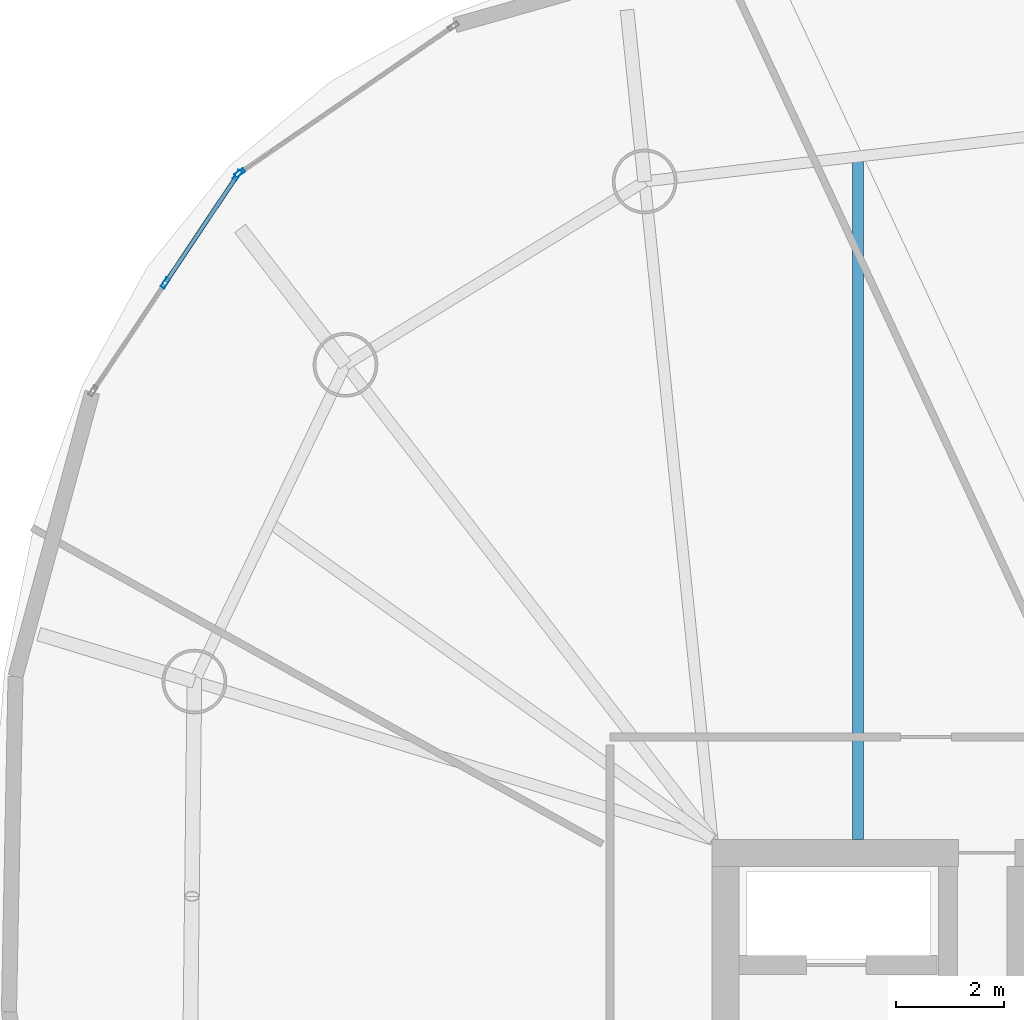
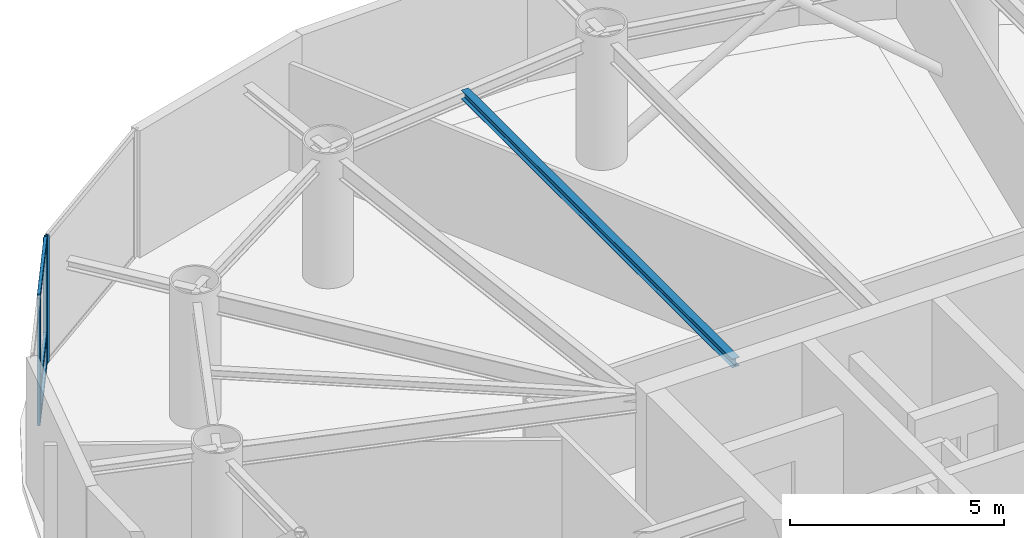
# One storey, part 7 of 16: 6 members, 1 beam, 2 elements without a shape of their own.
"""IFC4 building model written with IfcOpenShell, lengths in metres."""

from ifc_helpers import new_model, si_unit, direction, frame, origin, origin_2d, place, context, subcontext, project, spatial, hollow_rectangle, i_section, extrude, material, layer, layer_set, material_profile, profile_set, type_object, element, aggregate, save


model = new_model("IFC4")

# Units and contexts
model_context = context("Model", 3, precision=1e-05, world=origin(), true_north=direction((0.0, 1.0)))
body_context = subcontext(model_context, "Body", "Model", "MODEL_VIEW")
ifc_project = project(units=[si_unit("LENGTHUNIT", "METRE"), si_unit("AREAUNIT", "SQUARE_METRE"), si_unit("VOLUMEUNIT", "CUBIC_METRE"), si_unit("PLANEANGLEUNIT", "RADIAN"), si_unit("MASSUNIT", "GRAM", prefix="KILO")], contexts=[model_context])

# Site, building, storey
site_placement = place(None, origin())
site = spatial("IfcSite", under=ifc_project, at=site_placement, CompositionType="ELEMENT")
building_placement = place(site_placement, origin())
building = spatial("IfcBuilding", under=site, at=building_placement, Name="Bramvorn Convention Spire", CompositionType="ELEMENT")
storey_placement = place(building_placement, frame((0.0, 0.0, 209.699951171875)))
storey = spatial("IfcBuildingStorey", under=building, at=storey_placement, Name="L53", CompositionType="ELEMENT", Elevation=209.699951171875)

# Beam
ifc_material_1 = material(Name="Steel CSA G40.21 Grade 350 (350W)", Category="steel")
ifc_material_profile_1 = material_profile(ifc_material_1, i_section(OverallWidth=0.201904296875, OverallDepth=0.2470703125, WebThickness=0.00732421875, FlangeThickness=0.010986328125, FilletRadius=0.011962890625, at=origin_2d()))
ifc_profile_set_1 = profile_set([ifc_material_profile_1], Name="Steel CSA G40.21 Grade 350 (350W) - W250X49")
beam_type = type_object("IfcBeamType", Name="BM-W250X49", PredefinedType="JOIST", material=ifc_profile_set_1)
beam_placement = place(storey_placement, frame((29.455810546875, 33.449951171875, 3.49658203125), z_axis=(0.0, 1.0, 0.0), x_axis=(-1.0, 0.0, 0.0)))
element("IfcBeam", 1, at=beam_placement, inside=storey, type_object=beam_type, Name="L53 composite floor joist 07", PredefinedType="JOIST", context=body_context, shape_type="SweptSolid", body=[
    extrude(i_section(OverallWidth=0.201904296875, OverallDepth=0.2470703125, WebThickness=0.00732421875, FlangeThickness=0.010986328125, FilletRadius=0.011962890625, at=origin_2d()), origin(), (0.0, 0.0, 1.0), 12.676025390625),
])

# Curtain wall, member
ifc_material_2 = material(Name="Anodised Bronze Unitised Curtain Wall", Category="aluminium")
ifc_layer = layer(ifc_material_2, 0.179931640625)
ifc_layer_set = layer_set([ifc_layer], Name="Anodised Bronze Unitised Curtain Wall - CW-OFF-FRIT")
curtain_wall_type = type_object("IfcCurtainWallType", Name="CW-OFF-FRIT", PredefinedType="USERDEFINED", material=ifc_layer_set)
curtain_wall_1_placement = place(storey_placement, origin())
curtain_wall_1 = element("IfcCurtainWall", 2, at=curtain_wall_1_placement, inside=storey, type_object=curtain_wall_type, Name="L53 fritted glass curtain wall 12", ObjectType="UNITISED CURTAIN WALL", PredefinedType="USERDEFINED")
ifc_material_3 = material(Name="Anodised Bronze Aluminium 6063-T6", Category="aluminium")
ifc_material_profile_2 = material_profile(ifc_material_3, hollow_rectangle(XDim=0.080078125, YDim=0.199951171875, WallThickness=0.00390625, InnerFilletRadius=0.0009765625, OuterFilletRadius=0.00390625, at=origin_2d()))
ifc_profile_set_2 = profile_set([ifc_material_profile_2], Name="Anodised Bronze Aluminium 6063-T6 - CWM80X200")
member_type_1 = type_object("IfcMemberType", Name="CW-MUL-180", PredefinedType="MULLION", material=ifc_profile_set_2)
member_1_placement = place(storey_placement, frame((17.97705078125, 45.8212890625, 0.0), z_axis=(0.0, 0.0, 1.0), x_axis=(-0.566151903428, 0.824300929421, 0.0)))
member_1 = element("IfcMember", 3, at=member_1_placement, type_object=member_type_1, Name="CW3 mullion 1", PredefinedType="MULLION", context=body_context, shape_type="SweptSolid", body=[
    extrude(hollow_rectangle(XDim=0.080078125, YDim=0.199951171875, WallThickness=0.00390625, InnerFilletRadius=0.0009765625, OuterFilletRadius=0.00390625, at=origin_2d()), origin(), (0.0, 0.0, 1.0), 3.6201171875),
])
aggregate(curtain_wall_1, [member_1])

# Curtain wall, members
curtain_wall_2_placement = place(storey_placement, origin())
curtain_wall_2 = element("IfcCurtainWall", 4, at=curtain_wall_2_placement, inside=storey, type_object=curtain_wall_type, Name="L53 fritted glass curtain wall 13", ObjectType="UNITISED CURTAIN WALL", PredefinedType="USERDEFINED")
member_2_placement = place(storey_placement, frame((16.5966796875, 43.77783203125, 0.0), z_axis=(0.0, 0.0, 1.0), x_axis=(-0.831143705963, 0.5560576769, 0.0)))
member_2 = element("IfcMember", 5, at=member_2_placement, type_object=member_type_1, Name="CW3 mullion 2", PredefinedType="MULLION", context=body_context, shape_type="SweptSolid", body=[
    extrude(hollow_rectangle(XDim=0.080078125, YDim=0.199951171875, WallThickness=0.00390625, InnerFilletRadius=0.0009765625, OuterFilletRadius=0.00390625, at=origin_2d()), origin(), (0.0, 0.0, 1.0), 3.6201171875),
])
member_3_placement = place(storey_placement, frame((17.935791015625, 45.779296875, 0.0), z_axis=(0.0, 0.0, 1.0), x_axis=(-0.831143705963, 0.5560576769, 0.0)))
member_3 = element("IfcMember", 6, at=member_3_placement, type_object=member_type_1, Name="CW3 mullion 3", PredefinedType="MULLION", context=body_context, shape_type="SweptSolid", body=[
    extrude(hollow_rectangle(XDim=0.080078125, YDim=0.199951171875, WallThickness=0.00390625, InnerFilletRadius=0.0009765625, OuterFilletRadius=0.00390625, at=origin_2d()), origin(), (0.0, 0.0, 1.0), 3.6201171875),
])
ifc_material_profile_3 = material_profile(ifc_material_3, hollow_rectangle(XDim=0.080078125, YDim=0.159912109375, WallThickness=0.00390625, InnerFilletRadius=0.0009765625, OuterFilletRadius=0.00390625, at=origin_2d()))
ifc_profile_set_3 = profile_set([ifc_material_profile_3], Name="Anodised Bronze Aluminium 6063-T6 - CWT80X160")
member_type_2 = type_object("IfcMemberType", Name="CW-TRN-150", PredefinedType="USERDEFINED", material=ifc_profile_set_3)
member_4_placement = place(storey_placement, frame((16.61328125, 43.802734375, 0.030029296875), z_axis=(0.556043113189, 0.831153449295, 0.0), x_axis=(-0.831153449295, 0.556043113189, 0.0)))
member_4 = element("IfcMember", 7, at=member_4_placement, type_object=member_type_2, Name="CW3 transom 2.1", ObjectType="TRANSOM", PredefinedType="USERDEFINED", context=body_context, shape_type="SweptSolid", body=[
    extrude(hollow_rectangle(XDim=0.080078125, YDim=0.159912109375, WallThickness=0.00390625, InnerFilletRadius=0.0009765625, OuterFilletRadius=0.00390625, at=origin_2d()), origin(), (0.0, 0.0, 1.0), 2.34814453125),
])
member_5_placement = place(storey_placement, frame((16.61328125, 43.802734375, 0.900146484375), z_axis=(0.556043113189, 0.831153449295, 0.0), x_axis=(-0.831153449295, 0.556043113189, 0.0)))
member_5 = element("IfcMember", 8, at=member_5_placement, type_object=member_type_2, Name="CW3 transom 2.2", ObjectType="TRANSOM", PredefinedType="USERDEFINED", context=body_context, shape_type="SweptSolid", body=[
    extrude(hollow_rectangle(XDim=0.080078125, YDim=0.159912109375, WallThickness=0.00390625, InnerFilletRadius=0.0009765625, OuterFilletRadius=0.00390625, at=origin_2d()), origin(), (0.0, 0.0, 1.0), 2.34814453125),
])
member_6_placement = place(storey_placement, frame((16.61328125, 43.802734375, 3.590087890625), z_axis=(0.556043113189, 0.831153449295, 0.0), x_axis=(-0.831153449295, 0.556043113189, 0.0)))
member_6 = element("IfcMember", 9, at=member_6_placement, type_object=member_type_2, Name="CW3 transom 2.3", ObjectType="TRANSOM", PredefinedType="USERDEFINED", context=body_context, shape_type="SweptSolid", body=[
    extrude(hollow_rectangle(XDim=0.080078125, YDim=0.159912109375, WallThickness=0.00390625, InnerFilletRadius=0.0009765625, OuterFilletRadius=0.00390625, at=origin_2d()), origin(), (0.0, 0.0, 1.0), 2.34814453125),
])
aggregate(curtain_wall_2, [member_2, member_3, member_4, member_5, member_6])

save(model, "model.ifc")
